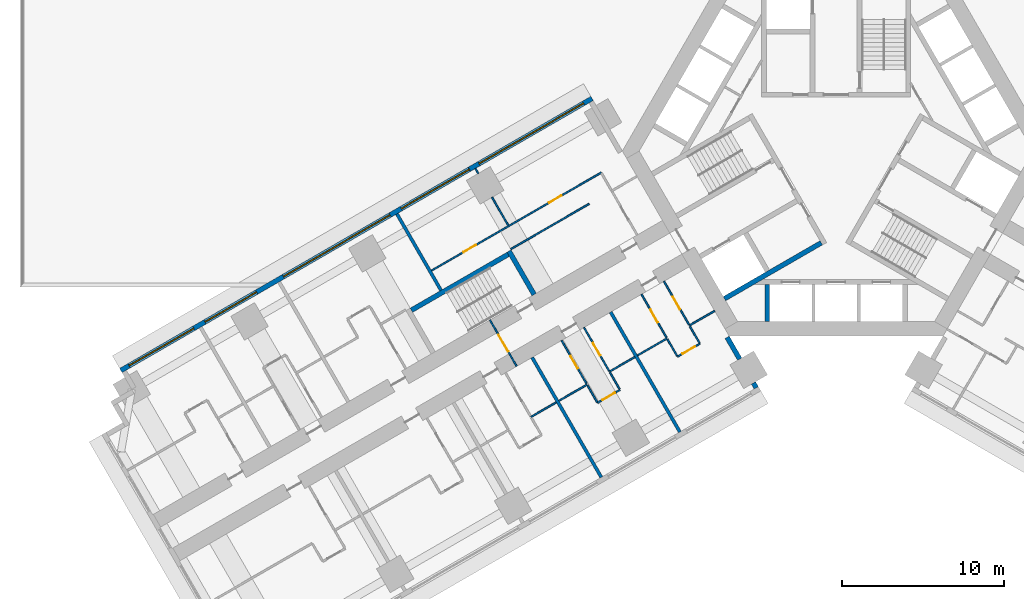
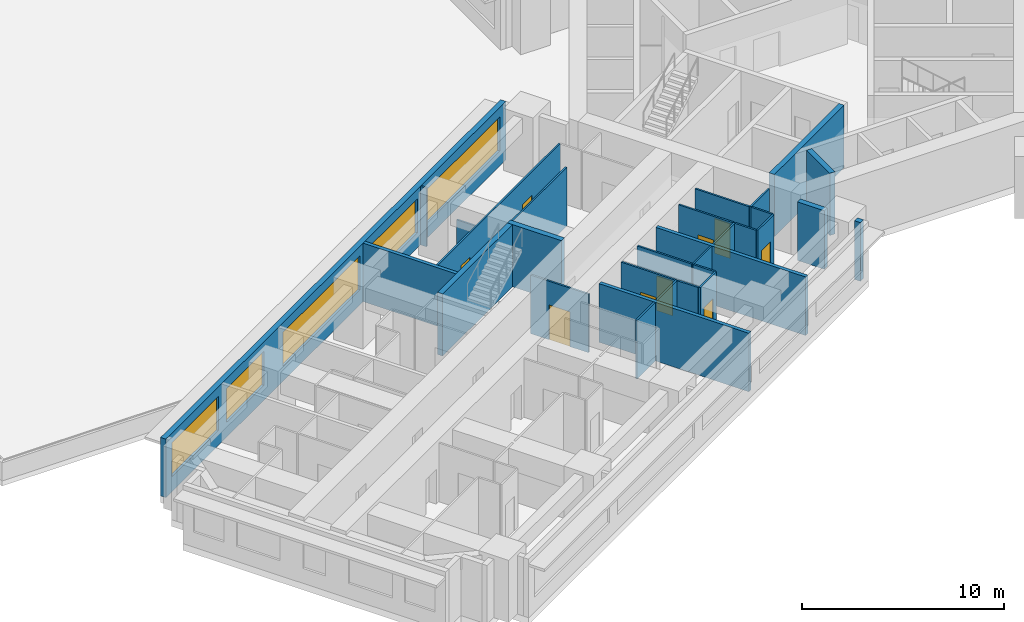
# One storey, part 5 of 18: 30 walls, 9 doors, 5 windows, 14 openings.
"""IFC4 building model written with IfcOpenShell, lengths in metres."""

from ifc_helpers import new_model, si_unit, direction, frame, frame_2d, origin, place, context, subcontext, project, spatial, rectangle, extrude, material, layer, layer_set, type_object, element, fill, save


model = new_model("IFC4")

# Units and contexts
model_context = context("Model", 3, precision=1e-05, world=origin(), true_north=direction((0.0, 1.0)))
body_context = subcontext(model_context, "Body", "Model", "MODEL_VIEW")
ifc_project = project(units=[si_unit("LENGTHUNIT", "METRE"), si_unit("AREAUNIT", "SQUARE_METRE"), si_unit("VOLUMEUNIT", "CUBIC_METRE"), si_unit("PLANEANGLEUNIT", "RADIAN"), si_unit("MASSUNIT", "GRAM", prefix="KILO")], contexts=[model_context])

# Site, building, storey
site_placement = place(None, origin())
site = spatial("IfcSite", under=ifc_project, at=site_placement, CompositionType="ELEMENT")
building_placement = place(site_placement, origin())
building = spatial("IfcBuilding", under=site, at=building_placement, Name="Impinga Residences", CompositionType="ELEMENT")
storey_placement = place(building_placement, frame((0.0, 0.0, 26.0)))
storey = spatial("IfcBuildingStorey", under=building, at=storey_placement, Name="L05", CompositionType="ELEMENT", Elevation=26.0)

# Wall, opening, door
ifc_material_1 = material(Name="Concrete blockwork", Category="masonry")
ifc_layer_1 = layer(ifc_material_1, 0.10009765625)
ifc_layer_set_1 = layer_set([ifc_layer_1], Name="CP1 core room partition, blockwork 100")
wall_type_1 = type_object("IfcWallType", Name="CP1 core room partition, blockwork 100", PredefinedType="PARTITIONING", material=ifc_layer_set_1)
wall_1_placement = place(storey_placement, frame((-19.7275390625, -13.294921875, 0.0), z_axis=(0.0, 0.0, 1.0), x_axis=(-0.499974350878, 0.866040211805, 0.0)))
wall_1 = element("IfcWall", 1, at=wall_1_placement, inside=storey, type_object=wall_type_1, Name="Core room partition, blockwork L05:W:SCR", PredefinedType="PARTITIONING", context=body_context, shape_type="SweptSolid", body=[
    extrude(rectangle(XDim=3.300048828125, YDim=0.10009765625, at=frame_2d((1.64990234375, 0.0))), origin(), (0.0, 0.0, 1.0), 3.530029296875),
])
opening_1_placement = place(wall_1_placement, frame((1.050048828125, 0.0, 0.0)))
opening_1 = element("IfcOpeningElement", 2, at=opening_1_placement, cuts=wall_1, Name="Opening D3", PredefinedType="OPENING", context=body_context, shape_type="SweptSolid", body=[
    extrude(rectangle(XDim=1.199951171875, YDim=2.10009765625, at=frame_2d((0.60009765625, 1.050048828125))), frame((0.0, 0.06005859375, 0.0), z_axis=(0.0, -1.0, 0.0), x_axis=(1.0, 0.0, 0.0)), (0.0, 0.0, 1.0), 0.1201171875),
])
ifc_material_2 = material(Name="Timber door set", Category="wood")
door_type_1 = type_object("IfcDoorType", Name="D3 room door, leaf and a half 1200x2100", OperationType="DOUBLE_SWING_LEFT", PredefinedType="DOOR", material=ifc_material_2)
door_1_placement = place(opening_1_placement, origin())
door_1 = element("IfcDoor", 3, at=door_1_placement, inside=storey, type_object=door_type_1, Name="Corridor smoke door W", OperationType="DOUBLE_SWING_LEFT", OverallHeight=2.10009765625, OverallWidth=1.199951171875, PredefinedType="DOOR", context=body_context, shape_type="SweptSolid", body=[
    extrude(rectangle(XDim=1.199951171875, YDim=2.10009765625, at=frame_2d((0.60009765625, 1.050048828125))), frame((0.0, 0.02490234375, 0.0), z_axis=(0.0, -1.0, 0.0), x_axis=(1.0, 0.0, 0.0)), (0.0, 0.0, 1.0), 0.050048828125),
])
fill(opening_1, door_1)

# Wall, openings, windows
ifc_material_3 = material(Name="Terracotta rainscreen on blockwork", Category="masonry")
ifc_layer_2 = layer(ifc_material_3, 0.300048828125)
ifc_layer_set_2 = layer_set([ifc_layer_2], Name="EW1 external wall, terracotta rainscreen on blockwork 300")
wall_type_2 = type_object("IfcWallType", Name="EW1 external wall, terracotta rainscreen on blockwork 300", PredefinedType="SOLIDWALL", material=ifc_layer_set_2)
wall_2_placement = place(storey_placement, frame((-44.17333984375, -13.552490234375, 0.0), z_axis=(0.0, 0.0, 1.0), x_axis=(0.866024291668, 0.500001926238, 0.0)))
wall_2 = element("IfcWall", 4, at=wall_2_placement, inside=storey, type_object=wall_type_2, Name="External wall EW1 L05", PredefinedType="SOLIDWALL", context=body_context, shape_type="SweptSolid", body=[
    extrude(rectangle(XDim=33.599853515625, YDim=0.300048828125, at=frame_2d((16.7998046875, 0.0))), origin(), (0.0, 0.0, 1.0), 3.530029296875),
])
opening_2_placement = place(wall_2_placement, frame((0.60009765625, 0.0, 0.89990234375)))
opening_2 = element("IfcOpeningElement", 5, at=opening_2_placement, cuts=wall_2, Name="Opening W3", PredefinedType="OPENING", context=body_context, shape_type="SweptSolid", body=[
    extrude(rectangle(XDim=4.60009765625, YDim=2.050048828125, at=frame_2d((2.300048828125, 1.02490234375))), frame((0.0, 0.159912109375, 0.0), z_axis=(0.0, -1.0, 0.0), x_axis=(1.0, 0.0, 0.0)), (0.0, 0.0, 1.0), 0.320068359375),
])
opening_3_placement = place(wall_2_placement, frame((6.0, 0.0, 0.89990234375)))
opening_3 = element("IfcOpeningElement", 6, at=opening_3_placement, cuts=wall_2, Name="Opening W4", PredefinedType="OPENING", context=body_context, shape_type="SweptSolid", body=[
    extrude(rectangle(XDim=3.68994140625, YDim=2.050048828125, at=frame_2d((1.844970703125, 1.02490234375))), frame((0.0, 0.159912109375, 0.0), z_axis=(0.0, -1.0, 0.0), x_axis=(1.0, 0.0, 0.0)), (0.0, 0.0, 1.0), 0.320068359375),
])
opening_4_placement = place(wall_2_placement, frame((11.60009765625, 0.0, 0.89990234375)))
opening_4 = element("IfcOpeningElement", 7, at=opening_4_placement, cuts=wall_2, Name="Opening W5", PredefinedType="OPENING", context=body_context, shape_type="SweptSolid", body=[
    extrude(rectangle(XDim=7.60009765625, YDim=2.050048828125, at=frame_2d((3.800048828125, 1.02490234375))), frame((0.0, 0.159912109375, 0.0), z_axis=(0.0, -1.0, 0.0), x_axis=(1.0, 0.0, 0.0)), (0.0, 0.0, 1.0), 0.320068359375),
])
opening_5_placement = place(wall_2_placement, frame((20.0, 0.0, 0.89990234375)))
opening_5 = element("IfcOpeningElement", 8, at=opening_5_placement, cuts=wall_2, Name="Opening W6", PredefinedType="OPENING", context=body_context, shape_type="SweptSolid", body=[
    extrude(rectangle(XDim=4.85009765625, YDim=2.050048828125, at=frame_2d((2.425048828125, 1.02490234375))), frame((0.0, 0.159912109375, 0.0), z_axis=(0.0, -1.0, 0.0), x_axis=(1.0, 0.0, 0.0)), (0.0, 0.0, 1.0), 0.320068359375),
])
opening_6_placement = place(wall_2_placement, frame((25.550048828125, 0.0, 0.89990234375)))
opening_6 = element("IfcOpeningElement", 9, at=opening_6_placement, cuts=wall_2, Name="Opening W7", PredefinedType="OPENING", context=body_context, shape_type="SweptSolid", body=[
    extrude(rectangle(XDim=7.449951171875, YDim=2.050048828125, at=frame_2d((3.72509765625, 1.02490234375))), frame((0.0, 0.159912109375, 0.0), z_axis=(0.0, -1.0, 0.0), x_axis=(1.0, 0.0, 0.0)), (0.0, 0.0, 1.0), 0.320068359375),
])
ifc_material_4 = material(Name="Aluminium window, clear double glazing", Category="aluminium")
window_type_1 = type_object("IfcWindowType", Name="W3 ribbon window 4600x2050", PartitioningType="SINGLE_PANEL", PredefinedType="WINDOW", material=ifc_material_4)
window_1_placement = place(opening_2_placement, origin())
window_1 = element("IfcWindow", 10, at=window_1_placement, inside=storey, type_object=window_type_1, Name="Window L05", OverallHeight=2.050048828125, OverallWidth=4.60009765625, PartitioningType="SINGLE_PANEL", PredefinedType="WINDOW", context=body_context, shape_type="SweptSolid", body=[
    extrude(rectangle(XDim=4.60009765625, YDim=2.050048828125, at=frame_2d((2.300048828125, 1.02490234375))), frame((0.0, 0.030029296875, 0.0), z_axis=(0.0, -1.0, 0.0), x_axis=(1.0, 0.0, 0.0)), (0.0, 0.0, 1.0), 0.06005859375),
])
fill(opening_2, window_1)
window_type_2 = type_object("IfcWindowType", Name="W4 ribbon window 3690x2050", PartitioningType="SINGLE_PANEL", PredefinedType="WINDOW", material=ifc_material_4)
window_2_placement = place(opening_3_placement, origin())
window_2 = element("IfcWindow", 11, at=window_2_placement, inside=storey, type_object=window_type_2, Name="Window L05", OverallHeight=2.050048828125, OverallWidth=3.68994140625, PartitioningType="SINGLE_PANEL", PredefinedType="WINDOW", context=body_context, shape_type="SweptSolid", body=[
    extrude(rectangle(XDim=3.68994140625, YDim=2.050048828125, at=frame_2d((1.844970703125, 1.02490234375))), frame((0.0, 0.030029296875, 0.0), z_axis=(0.0, -1.0, 0.0), x_axis=(1.0, 0.0, 0.0)), (0.0, 0.0, 1.0), 0.06005859375),
])
fill(opening_3, window_2)
window_type_3 = type_object("IfcWindowType", Name="W5 ribbon window 7600x2050", PartitioningType="SINGLE_PANEL", PredefinedType="WINDOW", material=ifc_material_4)
window_3_placement = place(opening_4_placement, origin())
window_3 = element("IfcWindow", 12, at=window_3_placement, inside=storey, type_object=window_type_3, Name="Window L05", OverallHeight=2.050048828125, OverallWidth=7.60009765625, PartitioningType="SINGLE_PANEL", PredefinedType="WINDOW", context=body_context, shape_type="SweptSolid", body=[
    extrude(rectangle(XDim=7.60009765625, YDim=2.050048828125, at=frame_2d((3.800048828125, 1.02490234375))), frame((0.0, 0.030029296875, 0.0), z_axis=(0.0, -1.0, 0.0), x_axis=(1.0, 0.0, 0.0)), (0.0, 0.0, 1.0), 0.06005859375),
])
fill(opening_4, window_3)
window_type_4 = type_object("IfcWindowType", Name="W6 ribbon window 4850x2050", PartitioningType="SINGLE_PANEL", PredefinedType="WINDOW", material=ifc_material_4)
window_4_placement = place(opening_5_placement, origin())
window_4 = element("IfcWindow", 13, at=window_4_placement, inside=storey, type_object=window_type_4, Name="Window L05", OverallHeight=2.050048828125, OverallWidth=4.85009765625, PartitioningType="SINGLE_PANEL", PredefinedType="WINDOW", context=body_context, shape_type="SweptSolid", body=[
    extrude(rectangle(XDim=4.85009765625, YDim=2.050048828125, at=frame_2d((2.425048828125, 1.02490234375))), frame((0.0, 0.030029296875, 0.0), z_axis=(0.0, -1.0, 0.0), x_axis=(1.0, 0.0, 0.0)), (0.0, 0.0, 1.0), 0.06005859375),
])
fill(opening_5, window_4)
window_type_5 = type_object("IfcWindowType", Name="W7 ribbon window 7450x2050", PartitioningType="SINGLE_PANEL", PredefinedType="WINDOW", material=ifc_material_4)
window_5_placement = place(opening_6_placement, origin())
window_5 = element("IfcWindow", 14, at=window_5_placement, inside=storey, type_object=window_type_5, Name="Window L05", OverallHeight=2.050048828125, OverallWidth=7.449951171875, PartitioningType="SINGLE_PANEL", PredefinedType="WINDOW", context=body_context, shape_type="SweptSolid", body=[
    extrude(rectangle(XDim=7.449951171875, YDim=2.050048828125, at=frame_2d((3.72509765625, 1.02490234375))), frame((0.0, 0.030029296875, 0.0), z_axis=(0.0, -1.0, 0.0), x_axis=(1.0, 0.0, 0.0)), (0.0, 0.0, 1.0), 0.06005859375),
])
fill(opening_6, window_5)

# Walls
wall_3_placement = place(storey_placement, frame((-6.72998046875, -11.506591796875, 0.0), z_axis=(0.0, 0.0, 1.0), x_axis=(0.500086022567, -0.865975732936, 0.0)))
element("IfcWall", 15, at=wall_3_placement, inside=storey, type_object=wall_type_2, Name="External wall EW1 L05", PredefinedType="SOLIDWALL", context=body_context, shape_type="SweptSolid", body=[
    extrude(rectangle(XDim=1.550048828125, YDim=0.300048828125, at=frame_2d((0.77490234375, 0.0))), origin(), (0.0, 0.0, 1.0), 3.530029296875),
])
wall_4_placement = place(storey_placement, frame((-5.10498046875, -14.321044921875, 0.0), z_axis=(0.0, 0.0, 1.0), x_axis=(0.49996389635, -0.866046247233, 0.0)))
element("IfcWall", 16, at=wall_4_placement, inside=storey, type_object=wall_type_2, Name="External wall EW1 L05", PredefinedType="SOLIDWALL", context=body_context, shape_type="SweptSolid", body=[
    extrude(rectangle(XDim=0.35009765625, YDim=0.300048828125, at=frame_2d((0.175048828125, 0.0))), origin(), (0.0, 0.0, 1.0), 3.530029296875),
])
ifc_material_5 = material(Name="Gypsum board on steel studs", Category="steel")
ifc_layer_3 = layer(ifc_material_5, 0.10009765625)
ifc_layer_set_3 = layer_set([ifc_layer_3], Name="Gypsum board on steel studs")
wall_type_3 = type_object("IfcWallType", Name="IP1 partition 100", PredefinedType="PARTITIONING", material=ifc_layer_set_3)
wall_5_placement = place(storey_placement, frame((-7.5, -9.872802734375, 0.0), z_axis=(0.0, 0.0, 1.0), x_axis=(-0.866047807691, -0.499961193289, 0.0)))
element("IfcWall", 17, at=wall_5_placement, inside=storey, type_object=wall_type_3, Name="Partition L05-WA1:DIV0", PredefinedType="PARTITIONING", context=body_context, shape_type="SweptSolid", body=[
    extrude(rectangle(XDim=1.800048828125, YDim=0.10009765625, at=frame_2d((0.89990234375, 0.0))), origin(), (0.0, 0.0, 1.0), 3.530029296875),
])
wall_6_placement = place(storey_placement, frame((-10.444580078125, -11.57275390625, 0.0), z_axis=(0.0, 0.0, 1.0), x_axis=(-0.866009402589, -0.500027713859, 0.0)))
element("IfcWall", 18, at=wall_6_placement, inside=storey, type_object=wall_type_3, Name="Partition L05-WA1:DIV1", PredefinedType="PARTITIONING", context=body_context, shape_type="SweptSolid", body=[
    extrude(rectangle(XDim=2.10009765625, YDim=0.10009765625, at=frame_2d((1.050048828125, 0.0))), origin(), (0.0, 0.0, 1.0), 3.530029296875),
])

# Wall, opening, door
wall_7_placement = place(storey_placement, frame((-8.408935546875, -11.8984375, 0.0), z_axis=(0.0, 0.0, 1.0), x_axis=(-0.865989903783, -0.500061482766, 0.0)))
wall_7 = element("IfcWall", 19, at=wall_7_placement, inside=storey, type_object=wall_type_3, Name="Partition L05-WA1:STRIP", PredefinedType="PARTITIONING", context=body_context, shape_type="SweptSolid", body=[
    extrude(rectangle(XDim=1.599853515625, YDim=0.10009765625, at=frame_2d((0.7998046875, 0.0))), origin(), (0.0, 0.0, 1.0), 3.530029296875),
])
opening_7_placement = place(wall_7_placement, frame((0.35009765625, 0.0, 0.0)))
opening_7 = element("IfcOpeningElement", 20, at=opening_7_placement, cuts=wall_7, Name="Opening D2", PredefinedType="OPENING", context=body_context, shape_type="SweptSolid", body=[
    extrude(rectangle(XDim=0.89990234375, YDim=2.10009765625, at=frame_2d((0.449951171875, 1.050048828125))), frame((0.0, 0.06005859375, 0.0), z_axis=(0.0, -1.0, 0.0), x_axis=(1.0, 0.0, 0.0)), (0.0, 0.0, 1.0), 0.1201171875),
])
door_type_2 = type_object("IfcDoorType", Name="D2 internal door 900x2100", OperationType="SINGLE_SWING_LEFT", PredefinedType="DOOR", material=ifc_material_2)
door_2_placement = place(opening_7_placement, origin())
door_2 = element("IfcDoor", 21, at=door_2_placement, inside=storey, type_object=door_type_2, Name="Apartment L05-WA1 room door", OperationType="SINGLE_SWING_LEFT", OverallHeight=2.10009765625, OverallWidth=0.89990234375, PredefinedType="DOOR", context=body_context, shape_type="SweptSolid", body=[
    extrude(rectangle(XDim=0.89990234375, YDim=2.10009765625, at=frame_2d((0.449951171875, 1.050048828125))), frame((0.0, 0.02490234375, 0.0), z_axis=(0.0, -1.0, 0.0), x_axis=(1.0, 0.0, 0.0)), (0.0, 0.0, 1.0), 0.050048828125),
])
fill(opening_7, door_2)

# Walls
wall_8_placement = place(storey_placement, frame((-9.033935546875, -10.81591796875, 0.0), z_axis=(0.0, 0.0, 1.0), x_axis=(0.500033551112, -0.866006032174, 0.0)))
element("IfcWall", 22, at=wall_8_placement, inside=storey, type_object=wall_type_3, Name="Partition L05-WA1:SE0", PredefinedType="PARTITIONING", context=body_context, shape_type="SweptSolid", body=[
    extrude(rectangle(XDim=1.2001953125, YDim=0.10009765625, at=frame_2d((0.60009765625, 0.0))), origin(), (0.0, 0.0, 1.0), 3.530029296875),
])
wall_9_placement = place(storey_placement, frame((-10.41943359375, -11.615966796875, 0.0), z_axis=(0.0, 0.0, 1.0), x_axis=(0.499880961361, -0.866094119867, 0.0)))
element("IfcWall", 23, at=wall_9_placement, inside=storey, type_object=wall_type_3, Name="Partition L05-WA1:SE1", PredefinedType="PARTITIONING", context=body_context, shape_type="SweptSolid", body=[
    extrude(rectangle(XDim=1.199951171875, YDim=0.10009765625, at=frame_2d((0.60009765625, 0.0))), origin(), (0.0, 0.0, 1.0), 3.530029296875),
])

# Wall, opening, door
wall_10_placement = place(storey_placement, frame((-10.6337890625, -8.044677734375, 0.0), z_axis=(0.0, 0.0, 1.0), x_axis=(0.49999285859, -0.86602952684, 0.0)))
wall_10 = element("IfcWall", 24, at=wall_10_placement, inside=storey, type_object=wall_type_3, Name="Partition L05-WA1:IB1", PredefinedType="PARTITIONING", context=body_context, shape_type="SweptSolid", body=[
    extrude(rectangle(XDim=3.10009765625, YDim=0.10009765625, at=frame_2d((1.550048828125, 0.0))), origin(), (0.0, 0.0, 1.0), 3.530029296875),
])
opening_8_placement = place(wall_10_placement, frame((1.10009765625, 0.0, 0.0)))
opening_8 = element("IfcOpeningElement", 25, at=opening_8_placement, cuts=wall_10, Name="Opening D2", PredefinedType="OPENING", context=body_context, shape_type="SweptSolid", body=[
    extrude(rectangle(XDim=0.89990234375, YDim=2.10009765625, at=frame_2d((0.449951171875, 1.050048828125))), frame((0.0, 0.06005859375, 0.0), z_axis=(0.0, -1.0, 0.0), x_axis=(1.0, 0.0, 0.0)), (0.0, 0.0, 1.0), 0.1201171875),
])
door_3_placement = place(opening_8_placement, origin())
door_3 = element("IfcDoor", 26, at=door_3_placement, inside=storey, type_object=door_type_2, Name="Apartment L05-WA1 bathroom door", OperationType="SINGLE_SWING_LEFT", OverallHeight=2.10009765625, OverallWidth=0.89990234375, PredefinedType="DOOR", context=body_context, shape_type="SweptSolid", body=[
    extrude(rectangle(XDim=0.89990234375, YDim=2.10009765625, at=frame_2d((0.449951171875, 1.050048828125))), frame((0.0, 0.02490234375, 0.0), z_axis=(0.0, -1.0, 0.0), x_axis=(1.0, 0.0, 0.0)), (0.0, 0.0, 1.0), 0.050048828125),
])
fill(opening_8, door_3)

wall_11_placement = place(storey_placement, frame((-12.01953125, -8.8447265625, 0.0), z_axis=(0.0, 0.0, 1.0), x_axis=(0.500026960575, -0.86600983753, 0.0)))
wall_11 = element("IfcWall", 27, at=wall_11_placement, inside=storey, type_object=wall_type_3, Name="Partition L05-WA1:IB2", PredefinedType="PARTITIONING", context=body_context, shape_type="SweptSolid", body=[
    extrude(rectangle(XDim=3.099853515625, YDim=0.10009765625, at=frame_2d((1.5498046875, 0.0))), origin(), (0.0, 0.0, 1.0), 3.530029296875),
])
opening_9_placement = place(wall_11_placement, frame((1.10009765625, 0.0, 0.0)))
opening_9 = element("IfcOpeningElement", 28, at=opening_9_placement, cuts=wall_11, Name="Opening D2", PredefinedType="OPENING", context=body_context, shape_type="SweptSolid", body=[
    extrude(rectangle(XDim=0.89990234375, YDim=2.10009765625, at=frame_2d((0.449951171875, 1.050048828125))), frame((0.0, 0.06005859375, 0.0), z_axis=(0.0, -1.0, 0.0), x_axis=(1.0, 0.0, 0.0)), (0.0, 0.0, 1.0), 0.1201171875),
])
door_4_placement = place(opening_9_placement, origin())
door_4 = element("IfcDoor", 29, at=door_4_placement, inside=storey, type_object=door_type_2, Name="Apartment L05-WA1 WC door", OperationType="SINGLE_SWING_LEFT", OverallHeight=2.10009765625, OverallWidth=0.89990234375, PredefinedType="DOOR", context=body_context, shape_type="SweptSolid", body=[
    extrude(rectangle(XDim=0.89990234375, YDim=2.10009765625, at=frame_2d((0.449951171875, 1.050048828125))), frame((0.0, 0.02490234375, 0.0), z_axis=(0.0, -1.0, 0.0), x_axis=(1.0, 0.0, 0.0)), (0.0, 0.0, 1.0), 0.050048828125),
])
fill(opening_9, door_4)

# Walls
wall_12_placement = place(storey_placement, frame((-12.436279296875, -12.72265625, 0.0), z_axis=(0.0, 0.0, 1.0), x_axis=(-0.865989075817, -0.500062916607, 0.0)))
element("IfcWall", 30, at=wall_12_placement, inside=storey, type_object=wall_type_3, Name="Partition L05-WA2:DIV0", PredefinedType="PARTITIONING", context=body_context, shape_type="SweptSolid", body=[
    extrude(rectangle(XDim=1.800048828125, YDim=0.10009765625, at=frame_2d((0.89990234375, 0.0))), origin(), (0.0, 0.0, 1.0), 3.530029296875),
])
wall_13_placement = place(storey_placement, frame((-15.380859375, -14.422607421875, 0.0), z_axis=(0.0, 0.0, 1.0), x_axis=(-0.866010750942, -0.50002537861, 0.0)))
element("IfcWall", 31, at=wall_13_placement, inside=storey, type_object=wall_type_3, Name="Partition L05-WA2:DIV1", PredefinedType="PARTITIONING", context=body_context, shape_type="SweptSolid", body=[
    extrude(rectangle(XDim=2.0, YDim=0.10009765625, at=frame_2d((1.0, 0.0))), origin(), (0.0, 0.0, 1.0), 3.530029296875),
])

# Wall, opening, door
wall_14_placement = place(storey_placement, frame((-13.34521484375, -14.74853515625, 0.0), z_axis=(0.0, 0.0, 1.0), x_axis=(-0.865989903783, -0.500061482766, 0.0)))
wall_14 = element("IfcWall", 32, at=wall_14_placement, inside=storey, type_object=wall_type_3, Name="Partition L05-WA2:STRIP", PredefinedType="PARTITIONING", context=body_context, shape_type="SweptSolid", body=[
    extrude(rectangle(XDim=1.599853515625, YDim=0.10009765625, at=frame_2d((0.7998046875, 0.0))), origin(), (0.0, 0.0, 1.0), 3.530029296875),
])
opening_10_placement = place(wall_14_placement, frame((0.35009765625, 0.0, 0.0)))
opening_10 = element("IfcOpeningElement", 33, at=opening_10_placement, cuts=wall_14, Name="Opening D2", PredefinedType="OPENING", context=body_context, shape_type="SweptSolid", body=[
    extrude(rectangle(XDim=0.89990234375, YDim=2.10009765625, at=frame_2d((0.449951171875, 1.050048828125))), frame((0.0, 0.06005859375, 0.0), z_axis=(0.0, -1.0, 0.0), x_axis=(1.0, 0.0, 0.0)), (0.0, 0.0, 1.0), 0.1201171875),
])
door_5_placement = place(opening_10_placement, origin())
door_5 = element("IfcDoor", 34, at=door_5_placement, inside=storey, type_object=door_type_2, Name="Apartment L05-WA2 room door", OperationType="SINGLE_SWING_LEFT", OverallHeight=2.10009765625, OverallWidth=0.89990234375, PredefinedType="DOOR", context=body_context, shape_type="SweptSolid", body=[
    extrude(rectangle(XDim=0.89990234375, YDim=2.10009765625, at=frame_2d((0.449951171875, 1.050048828125))), frame((0.0, 0.02490234375, 0.0), z_axis=(0.0, -1.0, 0.0), x_axis=(1.0, 0.0, 0.0)), (0.0, 0.0, 1.0), 0.050048828125),
])
fill(opening_10, door_5)

# Walls
wall_15_placement = place(storey_placement, frame((-13.97021484375, -13.666015625, 0.0), z_axis=(0.0, 0.0, 1.0), x_axis=(0.500033551112, -0.866006032174, 0.0)))
element("IfcWall", 35, at=wall_15_placement, inside=storey, type_object=wall_type_3, Name="Partition L05-WA2:SE0", PredefinedType="PARTITIONING", context=body_context, shape_type="SweptSolid", body=[
    extrude(rectangle(XDim=1.2001953125, YDim=0.10009765625, at=frame_2d((0.60009765625, 0.0))), origin(), (0.0, 0.0, 1.0), 3.530029296875),
])
wall_16_placement = place(storey_placement, frame((-15.355712890625, -14.466064453125, 0.0), z_axis=(0.0, 0.0, 1.0), x_axis=(0.499969057507, -0.866043267704, 0.0)))
element("IfcWall", 36, at=wall_16_placement, inside=storey, type_object=wall_type_3, Name="Partition L05-WA2:SE1", PredefinedType="PARTITIONING", context=body_context, shape_type="SweptSolid", body=[
    extrude(rectangle(XDim=1.19970703125, YDim=0.10009765625, at=frame_2d((0.599853515625, 0.0))), origin(), (0.0, 0.0, 1.0), 3.530029296875),
])

# Wall, opening, door
wall_17_placement = place(storey_placement, frame((-15.5703125, -10.894775390625, 0.0), z_axis=(0.0, 0.0, 1.0), x_axis=(0.500026960575, -0.86600983753, 0.0)))
wall_17 = element("IfcWall", 37, at=wall_17_placement, inside=storey, type_object=wall_type_3, Name="Partition L05-WA2:IB1", PredefinedType="PARTITIONING", context=body_context, shape_type="SweptSolid", body=[
    extrude(rectangle(XDim=3.099853515625, YDim=0.10009765625, at=frame_2d((1.5498046875, 0.0))), origin(), (0.0, 0.0, 1.0), 3.530029296875),
])
opening_11_placement = place(wall_17_placement, frame((1.10009765625, 0.0, 0.0)))
opening_11 = element("IfcOpeningElement", 38, at=opening_11_placement, cuts=wall_17, Name="Opening D2", PredefinedType="OPENING", context=body_context, shape_type="SweptSolid", body=[
    extrude(rectangle(XDim=0.89990234375, YDim=2.10009765625, at=frame_2d((0.449951171875, 1.050048828125))), frame((0.0, 0.06005859375, 0.0), z_axis=(0.0, -1.0, 0.0), x_axis=(1.0, 0.0, 0.0)), (0.0, 0.0, 1.0), 0.1201171875),
])
door_6_placement = place(opening_11_placement, origin())
door_6 = element("IfcDoor", 39, at=door_6_placement, inside=storey, type_object=door_type_2, Name="Apartment L05-WA2 bathroom door", OperationType="SINGLE_SWING_LEFT", OverallHeight=2.10009765625, OverallWidth=0.89990234375, PredefinedType="DOOR", context=body_context, shape_type="SweptSolid", body=[
    extrude(rectangle(XDim=0.89990234375, YDim=2.10009765625, at=frame_2d((0.449951171875, 1.050048828125))), frame((0.0, 0.02490234375, 0.0), z_axis=(0.0, -1.0, 0.0), x_axis=(1.0, 0.0, 0.0)), (0.0, 0.0, 1.0), 0.050048828125),
])
fill(opening_11, door_6)

wall_18_placement = place(storey_placement, frame((-16.955810546875, -11.69482421875, 0.0), z_axis=(0.0, 0.0, 1.0), x_axis=(0.500026960575, -0.86600983753, 0.0)))
wall_18 = element("IfcWall", 40, at=wall_18_placement, inside=storey, type_object=wall_type_3, Name="Partition L05-WA2:IB2", PredefinedType="PARTITIONING", context=body_context, shape_type="SweptSolid", body=[
    extrude(rectangle(XDim=3.099853515625, YDim=0.10009765625, at=frame_2d((1.5498046875, 0.0))), origin(), (0.0, 0.0, 1.0), 3.530029296875),
])
opening_12_placement = place(wall_18_placement, frame((1.10009765625, 0.0, 0.0)))
opening_12 = element("IfcOpeningElement", 41, at=opening_12_placement, cuts=wall_18, Name="Opening D2", PredefinedType="OPENING", context=body_context, shape_type="SweptSolid", body=[
    extrude(rectangle(XDim=0.89990234375, YDim=2.10009765625, at=frame_2d((0.449951171875, 1.050048828125))), frame((0.0, 0.06005859375, 0.0), z_axis=(0.0, -1.0, 0.0), x_axis=(1.0, 0.0, 0.0)), (0.0, 0.0, 1.0), 0.1201171875),
])
door_7_placement = place(opening_12_placement, origin())
door_7 = element("IfcDoor", 42, at=door_7_placement, inside=storey, type_object=door_type_2, Name="Apartment L05-WA2 WC door", OperationType="SINGLE_SWING_LEFT", OverallHeight=2.10009765625, OverallWidth=0.89990234375, PredefinedType="DOOR", context=body_context, shape_type="SweptSolid", body=[
    extrude(rectangle(XDim=0.89990234375, YDim=2.10009765625, at=frame_2d((0.449951171875, 1.050048828125))), frame((0.0, 0.02490234375, 0.0), z_axis=(0.0, -1.0, 0.0), x_axis=(1.0, 0.0, 0.0)), (0.0, 0.0, 1.0), 0.050048828125),
])
fill(opening_12, door_7)

# Walls
wall_19_placement = place(storey_placement, frame((-17.2861328125, -15.522705078125, 0.0), z_axis=(0.0, 0.0, 1.0), x_axis=(-0.866047807691, -0.499961193289, 0.0)))
element("IfcWall", 43, at=wall_19_placement, inside=storey, type_object=wall_type_3, Name="Partition L05-WA3:DIV0", PredefinedType="PARTITIONING", context=body_context, shape_type="SweptSolid", body=[
    extrude(rectangle(XDim=1.800048828125, YDim=0.10009765625, at=frame_2d((0.89990234375, 0.0))), origin(), (0.0, 0.0, 1.0), 3.530029296875),
])
wall_20_placement = place(storey_placement, frame((-15.244384765625, -3.2587890625, 0.0), z_axis=(0.0, 0.0, 1.0), x_axis=(-0.866026594901, -0.49999793692, 0.0)))
element("IfcWall", 44, at=wall_20_placement, inside=storey, type_object=wall_type_3, Name="Partition L05-WF1:DIV1", PredefinedType="PARTITIONING", context=body_context, shape_type="SweptSolid", body=[
    extrude(rectangle(XDim=5.60009765625, YDim=0.10009765625, at=frame_2d((2.800048828125, 0.0))), origin(), (0.0, 0.0, 1.0), 3.530029296875),
])

# Wall, openings, doors
wall_21_placement = place(storey_placement, frame((-14.5087890625, -1.3330078125, 0.0), z_axis=(0.0, 0.0, 1.0), x_axis=(-0.866025650635, -0.499999572443, 0.0)))
wall_21 = element("IfcWall", 45, at=wall_21_placement, inside=storey, type_object=wall_type_3, Name="Partition L05-WF1:STRIP", PredefinedType="PARTITIONING", context=body_context, shape_type="SweptSolid", body=[
    extrude(rectangle(XDim=12.10009765625, YDim=0.10009765625, at=frame_2d((6.050048828125, 0.0))), origin(), (0.0, 0.0, 1.0), 3.530029296875),
])
opening_13_placement = place(wall_21_placement, frame((2.824951171875, 0.0, 0.0)))
opening_13 = element("IfcOpeningElement", 46, at=opening_13_placement, cuts=wall_21, Name="Opening D2", PredefinedType="OPENING", context=body_context, shape_type="SweptSolid", body=[
    extrude(rectangle(XDim=0.89990234375, YDim=2.10009765625, at=frame_2d((0.449951171875, 1.050048828125))), frame((0.0, 0.06005859375, 0.0), z_axis=(0.0, -1.0, 0.0), x_axis=(1.0, 0.0, 0.0)), (0.0, 0.0, 1.0), 0.1201171875),
])
opening_14_placement = place(wall_21_placement, frame((8.925048828125, 0.0, 0.0)))
opening_14 = element("IfcOpeningElement", 47, at=opening_14_placement, cuts=wall_21, Name="Opening D2", PredefinedType="OPENING", context=body_context, shape_type="SweptSolid", body=[
    extrude(rectangle(XDim=0.89990234375, YDim=2.10009765625, at=frame_2d((0.449951171875, 1.050048828125))), frame((0.0, 0.06005859375, 0.0), z_axis=(0.0, -1.0, 0.0), x_axis=(1.0, 0.0, 0.0)), (0.0, 0.0, 1.0), 0.1201171875),
])
door_8_placement = place(opening_13_placement, origin())
door_8 = element("IfcDoor", 48, at=door_8_placement, inside=storey, type_object=door_type_2, Name="Apartment L05-WF1 room door", OperationType="SINGLE_SWING_LEFT", OverallHeight=2.10009765625, OverallWidth=0.89990234375, PredefinedType="DOOR", context=body_context, shape_type="SweptSolid", body=[
    extrude(rectangle(XDim=0.89990234375, YDim=2.10009765625, at=frame_2d((0.449951171875, 1.050048828125))), frame((0.0, 0.02490234375, 0.0), z_axis=(0.0, -1.0, 0.0), x_axis=(1.0, 0.0, 0.0)), (0.0, 0.0, 1.0), 0.050048828125),
])
fill(opening_13, door_8)
door_9_placement = place(opening_14_placement, origin())
door_9 = element("IfcDoor", 49, at=door_9_placement, inside=storey, type_object=door_type_2, Name="Apartment L05-WF1 room door", OperationType="SINGLE_SWING_RIGHT", OverallHeight=2.10009765625, OverallWidth=0.89990234375, PredefinedType="DOOR", context=body_context, shape_type="SweptSolid", body=[
    extrude(rectangle(XDim=0.89990234375, YDim=2.10009765625, at=frame_2d((0.449951171875, 1.050048828125))), frame((0.0, 0.02490234375, 0.0), z_axis=(0.0, -1.0, 0.0), x_axis=(1.0, 0.0, 0.0)), (0.0, 0.0, 1.0), 0.050048828125),
])
fill(opening_14, door_9)

# Walls
wall_22_placement = place(storey_placement, frame((-20.24951171875, -4.589599609375, 0.0), z_axis=(0.0, 0.0, 1.0), x_axis=(-0.50002537861, 0.866010750942, 0.0)))
element("IfcWall", 50, at=wall_22_placement, inside=storey, type_object=wall_type_3, Name="Partition L05-WF1:OB1", PredefinedType="PARTITIONING", context=body_context, shape_type="SweptSolid", body=[
    extrude(rectangle(XDim=2.0, YDim=0.10009765625, at=frame_2d((1.0, 0.0))), origin(), (0.0, 0.0, 1.0), 2.22998046875),
])
wall_23_placement = place(storey_placement, frame((-22.099609375, -1.385498046875, 0.0), z_axis=(0.0, 0.0, 1.0), x_axis=(-0.49996389635, 0.866046247233, 0.0)))
element("IfcWall", 51, at=wall_23_placement, inside=storey, type_object=wall_type_3, Name="Partition L05-WF1:OB1b", PredefinedType="PARTITIONING", context=body_context, shape_type="SweptSolid", body=[
    extrude(rectangle(XDim=0.35009765625, YDim=0.10009765625, at=frame_2d((0.175048828125, 0.0))), origin(), (0.0, 0.0, 1.0), 3.530029296875),
])
ifc_layer_4 = layer(ifc_material_1, 0.199951171875)
ifc_layer_set_4 = layer_set([ifc_layer_4], Name="PW1 party wall between apartments 200")
wall_type_4 = type_object("IfcWallType", Name="PW1 party wall between apartments 200", PredefinedType="SOLIDWALL", material=ifc_layer_set_4)
wall_24_placement = place(storey_placement, frame((-13.9248046875, -9.94482421875, 0.0), z_axis=(0.0, 0.0, 1.0), x_axis=(0.500024008071, -0.866011542275, 0.0)))
element("IfcWall", 52, at=wall_24_placement, inside=storey, type_object=wall_type_4, Name="Party wall between apartments L05-WA1:PARTY", PredefinedType="SOLIDWALL", context=body_context, shape_type="SweptSolid", body=[
    extrude(rectangle(XDim=8.5498046875, YDim=0.199951171875, at=frame_2d((4.27490234375, 0.0))), origin(), (0.0, 0.0, 1.0), 3.530029296875),
])
wall_25_placement = place(storey_placement, frame((-18.7744140625, -12.74462890625, 0.0), z_axis=(0.0, 0.0, 1.0), x_axis=(0.499990227581, -0.86603104582, 0.0)))
element("IfcWall", 53, at=wall_25_placement, inside=storey, type_object=wall_type_4, Name="Party wall between apartments L05-WA2:PARTY", PredefinedType="SOLIDWALL", context=body_context, shape_type="SweptSolid", body=[
    extrude(rectangle(XDim=8.550048828125, YDim=0.199951171875, at=frame_2d((4.27490234375, 0.0))), origin(), (0.0, 0.0, 1.0), 3.530029296875),
])
wall_26_placement = place(storey_placement, frame((-24.3994140625, -8.60205078125, 0.0), z_axis=(0.0, 0.0, 1.0), x_axis=(-0.499988730927, 0.866031909889, 0.0)))
element("IfcWall", 54, at=wall_26_placement, inside=storey, type_object=wall_type_4, Name="Party wall between apartments L05-WF1:PARTY", PredefinedType="SOLIDWALL", context=body_context, shape_type="SweptSolid", body=[
    extrude(rectangle(XDim=5.449951171875, YDim=0.199951171875, at=frame_2d((2.72509765625, 0.0))), origin(), (0.0, 0.0, 1.0), 3.530029296875),
])
ifc_material_6 = material(Name="Concrete C60/75", Category="concrete")
ifc_layer_5 = layer(ifc_material_6, 0.300048828125)
ifc_layer_set_5 = layer_set([ifc_layer_5], Name="Concrete C60/75")
wall_type_5 = type_object("IfcWallType", Name="SE1 wing stair enclosure wall 300", PredefinedType="SOLIDWALL", material=ifc_layer_set_5)
wall_27_placement = place(storey_placement, frame((-18.649169921875, -8.86181640625, 0.0), z_axis=(0.0, 0.0, 1.0), x_axis=(-0.500026960575, 0.86600983753, 0.0)))
element("IfcWall", 55, at=wall_27_placement, inside=storey, type_object=wall_type_5, Name="Stair enclosure wall SE1 W END0 L05", PredefinedType="SOLIDWALL", context=body_context, shape_type="SweptSolid", body=[
    extrude(rectangle(XDim=3.099853515625, YDim=0.300048828125, at=frame_2d((1.5498046875, 0.0))), origin(), (0.0, 0.0, 1.0), 3.75),
])
wall_28_placement = place(storey_placement, frame((-20.254150390625, -6.382080078125, 0.0), z_axis=(0.0, 0.0, 1.0), x_axis=(-0.866020008033, -0.500009345598, 0.0)))
element("IfcWall", 56, at=wall_28_placement, inside=storey, type_object=wall_type_5, Name="Stair enclosure wall SE1 W OUT L05", PredefinedType="SOLIDWALL", context=body_context, shape_type="SweptSolid", body=[
    extrude(rectangle(XDim=6.899658203125, YDim=0.300048828125, at=frame_2d((3.44970703125, 0.0))), origin(), (0.0, 0.0, 1.0), 3.75),
])
ifc_material_7 = material(Name="Concrete C70/85", Category="concrete")
ifc_layer_6 = layer(ifc_material_7, 0.300048828125)
ifc_layer_set_6 = layer_set([ifc_layer_6], Name="Concrete C70/85")
wall_type_6 = type_object("IfcWallType", Name="SW5 core inner wall, stairs, shafts and lobbies 300", PredefinedType="SHEAR", material=ifc_layer_set_6)
wall_29_placement = place(storey_placement, frame((-0.918701171875, -5.668701171875, 0.0), z_axis=(0.0, 0.0, 1.0), x_axis=(-0.866011800373, -0.500023561059, 0.0)))
element("IfcWall", 57, at=wall_29_placement, inside=storey, type_object=wall_type_6, Name="Core wall SW5 W:FF-OUT L05", PredefinedType="SHEAR", context=body_context, shape_type="SweptSolid", body=[
    extrude(rectangle(XDim=6.901611328125, YDim=0.300048828125, at=frame_2d((3.45068359375, 0.0))), origin(), (0.0, 0.0, 1.0), 3.75),
])
wall_30_placement = place(storey_placement, frame((-4.25, -8.2314453125, 0.0), z_axis=(0.0, 0.0, 1.0), x_axis=(0.0, -1.0, 0.0)))
element("IfcWall", 58, at=wall_30_placement, inside=storey, type_object=wall_type_6, Name="Core wall SW5 N:BANK-R L05", PredefinedType="SHEAR", context=body_context, shape_type="SweptSolid", body=[
    extrude(rectangle(XDim=2.300048828125, YDim=0.300048828125, at=frame_2d((1.14990234375, 0.0))), origin(), (0.0, 0.0, 1.0), 3.75),
])

save(model, "model.ifc")
